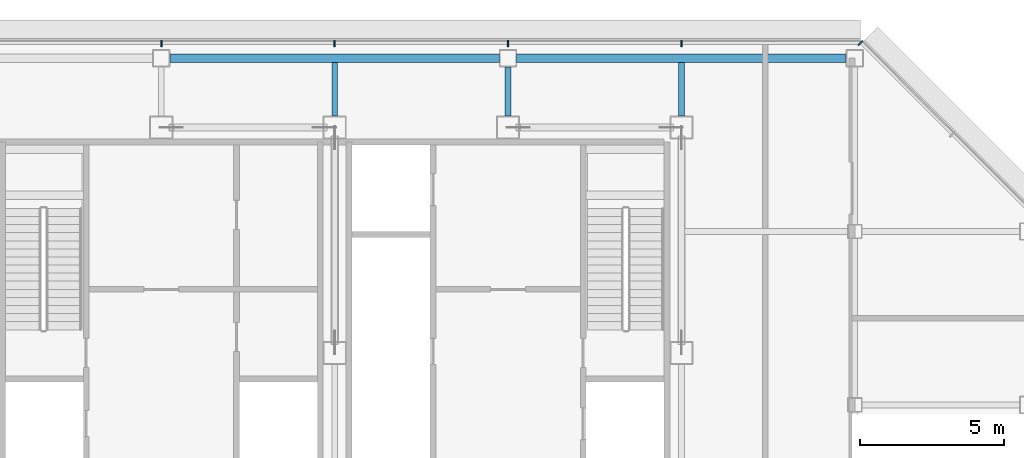
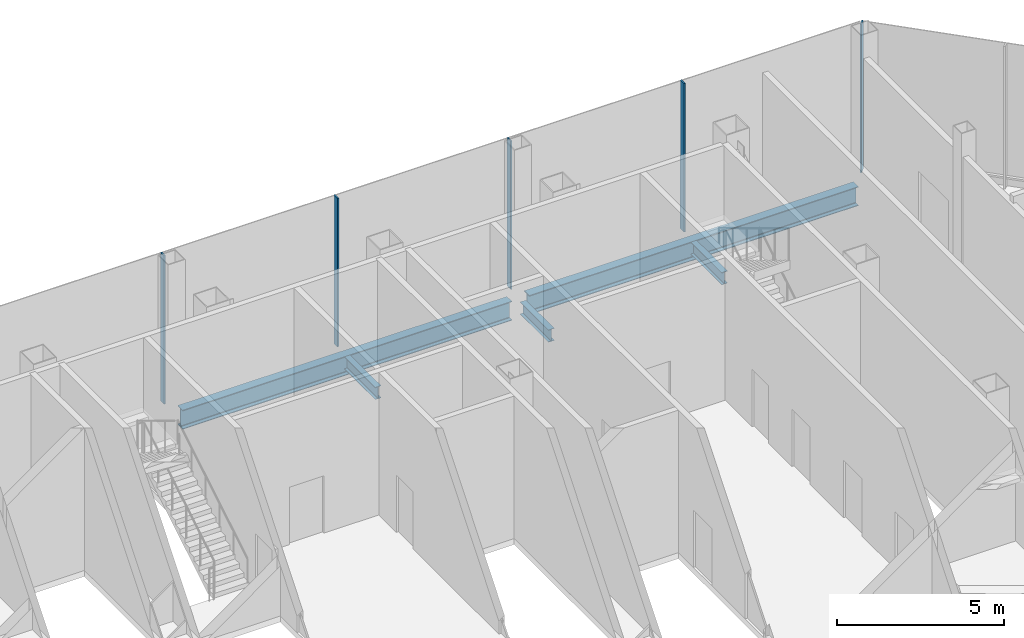
# One storey, part 14 of 26: 5 beams, 5 members, 2 elements without a shape of their own.
"""IFC4 building model written with IfcOpenShell, lengths in metres."""

from ifc_helpers import new_model, si_unit, direction, frame, origin, origin_2d, place, context, subcontext, project, spatial, rectangle, i_section, extrude, material, material_profile, profile_set, type_object, element, aggregate, save


model = new_model("IFC4")

# Units and contexts
model_context = context("Model", 3, precision=1e-05, world=origin(), true_north=direction((0.0, 1.0)))
body_context = subcontext(model_context, "Body", "Model", "MODEL_VIEW")
ifc_project = project(units=[si_unit("LENGTHUNIT", "METRE"), si_unit("AREAUNIT", "SQUARE_METRE"), si_unit("VOLUMEUNIT", "CUBIC_METRE"), si_unit("PLANEANGLEUNIT", "RADIAN"), si_unit("MASSUNIT", "GRAM", prefix="KILO")], contexts=[model_context])

# Site, building, storey
site_placement = place(None, origin())
site = spatial("IfcSite", under=ifc_project, at=site_placement, CompositionType="ELEMENT")
building_placement = place(site_placement, origin())
building = spatial("IfcBuilding", under=site, at=building_placement, Name="Sorahane Residences", CompositionType="ELEMENT")
storey_placement = place(building_placement, frame((0.0, 0.0, 257.60009765625)))
storey = spatial("IfcBuildingStorey", under=building, at=storey_placement, Name="L61", CompositionType="ELEMENT", Elevation=257.60009765625)

# Curtain wall, member
ifc_material_1 = material(Name="Dark low-e glass and black anodised aluminium", Category="aluminium")
curtain_wall_type = type_object("IfcCurtainWallType", Name="Curtain wall CW-4 Sky floor frameless wall", PredefinedType="NOTDEFINED", material=ifc_material_1)
curtain_wall_1_placement = place(storey_placement, origin())
curtain_wall_1 = element("IfcCurtainWall", 1, at=curtain_wall_1_placement, inside=storey, type_object=curtain_wall_type, Name="CW-4 curtain wall L61 NE1", PredefinedType="NOTDEFINED")
ifc_material_2 = material(Name="Black anodised aluminium", Category="aluminium")
ifc_material_profile_1 = material_profile(ifc_material_2, rectangle(XDim=0.219970703125, YDim=0.050048828125, at=origin_2d()), Name="Curtain wall mullion CW-4 black anodised aluminium 50x220")
ifc_profile_set_1 = profile_set([ifc_material_profile_1], Name="Black anodised aluminium")
member_type = type_object("IfcMemberType", Name="Curtain wall mullion CW-4 black anodised aluminium 50x220", PredefinedType="MULLION", material=ifc_profile_set_1)
member_1_placement = place(storey_placement, frame((48.20263671875, 48.518798828125, -0.22021484375), z_axis=(0.0, 0.0, 1.0), x_axis=(0.707106781187, 0.707106781187, 0.0)))
member_1 = element("IfcMember", 2, at=member_1_placement, type_object=member_type, Name="CW-4 mullion L61 NE1.3", PredefinedType="MULLION", context=body_context, shape_type="SweptSolid", body=[
    extrude(rectangle(XDim=0.219970703125, YDim=0.050048828125, at=origin_2d()), origin(), (0.0, 0.0, 1.0), 5.440185546875),
])
aggregate(curtain_wall_1, [member_1])

# Curtain wall, members
curtain_wall_2_placement = place(storey_placement, origin())
curtain_wall_2 = element("IfcCurtainWall", 3, at=curtain_wall_2_placement, inside=storey, type_object=curtain_wall_type, Name="CW-4 curtain wall L61 N1", PredefinedType="NOTDEFINED")
member_2_placement = place(storey_placement, frame((42.0, 48.510009765625, -0.22021484375), z_axis=(0.0, 0.0, 1.0), x_axis=(0.0, 1.0, 0.0)))
member_2 = element("IfcMember", 4, at=member_2_placement, type_object=member_type, Name="CW-4 mullion L61 N1.2", PredefinedType="MULLION", context=body_context, shape_type="SweptSolid", body=[
    extrude(rectangle(XDim=0.219970703125, YDim=0.050048828125, at=origin_2d()), origin(), (0.0, 0.0, 1.0), 5.440185546875),
])
member_3_placement = place(storey_placement, frame((36.0, 48.510009765625, -0.22021484375), z_axis=(0.0, 0.0, 1.0), x_axis=(0.0, 1.0, 0.0)))
member_3 = element("IfcMember", 5, at=member_3_placement, type_object=member_type, Name="CW-4 mullion L61 N1.3", PredefinedType="MULLION", context=body_context, shape_type="SweptSolid", body=[
    extrude(rectangle(XDim=0.219970703125, YDim=0.050048828125, at=origin_2d()), origin(), (0.0, 0.0, 1.0), 5.440185546875),
])
member_4_placement = place(storey_placement, frame((30.0, 48.510009765625, -0.22021484375), z_axis=(0.0, 0.0, 1.0), x_axis=(0.0, 1.0, 0.0)))
member_4 = element("IfcMember", 6, at=member_4_placement, type_object=member_type, Name="CW-4 mullion L61 N1.4", PredefinedType="MULLION", context=body_context, shape_type="SweptSolid", body=[
    extrude(rectangle(XDim=0.219970703125, YDim=0.050048828125, at=origin_2d()), origin(), (0.0, 0.0, 1.0), 5.440185546875),
])
member_5_placement = place(storey_placement, frame((24.0, 48.510009765625, -0.22021484375), z_axis=(0.0, 0.0, 1.0), x_axis=(0.0, 1.0, 0.0)))
member_5 = element("IfcMember", 7, at=member_5_placement, type_object=member_type, Name="CW-4 mullion L61 N1.5", PredefinedType="MULLION", context=body_context, shape_type="SweptSolid", body=[
    extrude(rectangle(XDim=0.219970703125, YDim=0.050048828125, at=origin_2d()), origin(), (0.0, 0.0, 1.0), 5.440185546875),
])
aggregate(curtain_wall_2, [member_2, member_3, member_4, member_5])

# Beams
ifc_material_3 = material(Name="Steel Q355B", Category="steel")
ifc_material_profile_2 = material_profile(ifc_material_3, i_section(OverallWidth=0.199951171875, OverallDepth=0.449951171875, WebThickness=0.009033203125, FlangeThickness=0.013916015625, FilletRadius=0.02001953125, at=origin_2d()), Name="HN 450x200x9x14")
ifc_profile_set_2 = profile_set([ifc_material_profile_2], Name="Steel Q355B")
beam_type_1 = type_object("IfcBeamType", Name="Steel floor beam HN 450x200x9x14 Q355B", PredefinedType="BEAM", material=ifc_profile_set_2)
beam_1_placement = place(storey_placement, frame((30.0, 46.0, -0.445068359375), z_axis=(0.0, 1.0, 0.0), x_axis=(-1.0, 0.0, 0.0)))
element("IfcBeam", 8, at=beam_1_placement, inside=storey, type_object=beam_type_1, Name="Beam L61 049", PredefinedType="BEAM", context=body_context, shape_type="SweptSolid", body=[
    extrude(i_section(OverallWidth=0.199951171875, OverallDepth=0.449951171875, WebThickness=0.009033203125, FlangeThickness=0.013916015625, FilletRadius=0.02001953125, at=origin_2d()), origin(), (0.0, 0.0, 1.0), 1.85009765625),
])
beam_2_placement = place(storey_placement, frame((36.0, 46.0, -0.445068359375), z_axis=(0.0, 1.0, 0.0), x_axis=(-1.0, 0.0, 0.0)))
element("IfcBeam", 9, at=beam_2_placement, inside=storey, type_object=beam_type_1, Name="Beam L61 051", PredefinedType="BEAM", context=body_context, shape_type="SweptSolid", body=[
    extrude(i_section(OverallWidth=0.199951171875, OverallDepth=0.449951171875, WebThickness=0.009033203125, FlangeThickness=0.013916015625, FilletRadius=0.02001953125, at=origin_2d()), origin(), (0.0, 0.0, 1.0), 1.699951171875),
])
beam_3_placement = place(storey_placement, frame((42.0, 46.0, -0.445068359375), z_axis=(0.0, 1.0, 0.0), x_axis=(-1.0, 0.0, 0.0)))
element("IfcBeam", 10, at=beam_3_placement, inside=storey, type_object=beam_type_1, Name="Beam L61 057", PredefinedType="BEAM", context=body_context, shape_type="SweptSolid", body=[
    extrude(i_section(OverallWidth=0.199951171875, OverallDepth=0.449951171875, WebThickness=0.009033203125, FlangeThickness=0.013916015625, FilletRadius=0.02001953125, at=origin_2d()), origin(), (0.0, 0.0, 1.0), 1.85009765625),
])
ifc_material_4 = material(Name="Steel Q355B", Category="steel")
ifc_material_profile_3 = material_profile(ifc_material_4, i_section(OverallWidth=0.300048828125, OverallDepth=0.699951171875, WebThickness=0.012939453125, FlangeThickness=0.02392578125, FilletRadius=0.028076171875, at=origin_2d()), Name="HN 700x300x13x24")
ifc_profile_set_3 = profile_set([ifc_material_profile_3], Name="Steel Q355B")
beam_type_2 = type_object("IfcBeamType", Name="Steel floor beam HN 700x300x13x24 Q355B", PredefinedType="BEAM", material=ifc_profile_set_3)
for number, where, z_axis, x_axis, name in (
    (11, (24.300048828125, 48.0, -0.570068359375), (1.0, 0.0, 0.0), (0.0, 1.0, 0.0), "Beam L61 018"),
    (12, (36.300048828125, 48.0, -0.570068359375), (1.0, 0.0, 0.0), (0.0, 1.0, 0.0), "Beam L61 019"),
):
    element("IfcBeam", number, at=place(storey_placement, frame(where, z_axis=z_axis, x_axis=x_axis)), inside=storey, type_object=beam_type_2, Name=name, PredefinedType="BEAM", context=body_context, shape_type="SweptSolid", body=[
        extrude(i_section(OverallWidth=0.300048828125, OverallDepth=0.699951171875, WebThickness=0.012939453125, FlangeThickness=0.02392578125, FilletRadius=0.028076171875, at=origin_2d()), origin(), (0.0, 0.0, 1.0), 11.39990234375),
    ])

save(model, "model.ifc")
